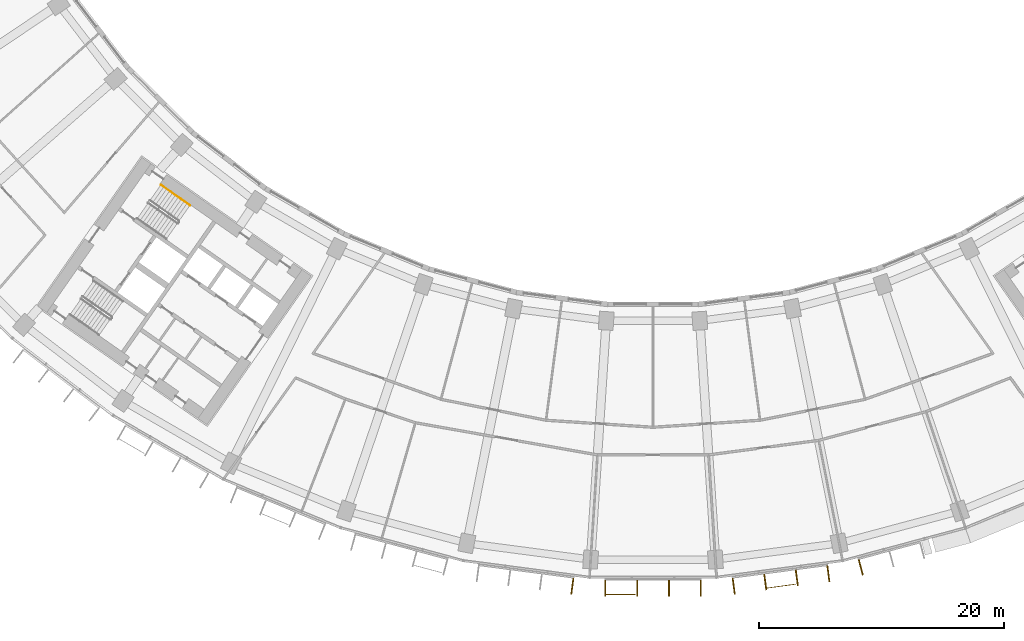
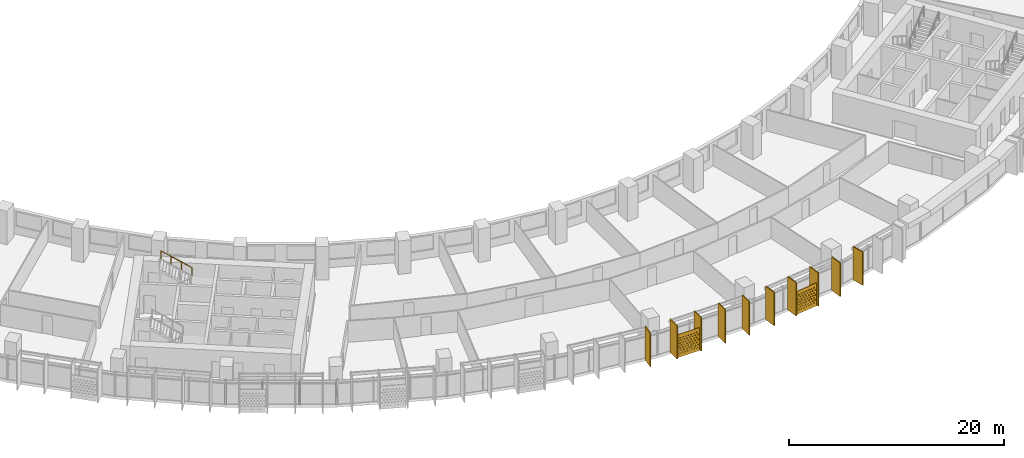
# One storey, part 26 of 28: 12 shading devices, 1 railing.
"""IFC4 building model written with IfcOpenShell, lengths in metres."""

import ifcopenshell
import ifcopenshell.guid

model = None  # the IFC model being written
_history = None  # IfcOwnerHistory: only IFC2X3 demands one
_inside = {}  # id of a spatial element -> (the spatial element, [elements in it])
_under = {}  # id of a project, library or spatial element -> (it, [spatial elements below it])
_declared = {}  # id of a project -> (the project, [libraries it declares])
_typed = {}  # id of a type object -> (the type object, [elements of that type])
_made_of = {}  # id of a material, layer set ... -> (it, [elements and type objects made of it])


def new_model(schema):
    """Start an empty IFC model of exactly this schema.

    Asked for "IFC4X3", IfcOpenShell would pick the latest addendum, in which some entities
    have other attributes; the version numbers below select the first issue.
    IFC2X3 requires an IfcOwnerHistory on every rooted entity: one is made here for all.
    """
    global model, _history
    if schema == "IFC4X3":
        model = ifcopenshell.file(schema_version=(4, 3, 0, 0))
    else:
        model = ifcopenshell.file(schema=schema)
    _inside.clear()
    _under.clear()
    _declared.clear()
    _typed.clear()
    _made_of.clear()
    _history = None
    if model.schema == "IFC2X3":
        org = make("IfcOrganization", Name="unknown")
        user = make(
            "IfcPersonAndOrganization",
            ThePerson=make("IfcPerson", FamilyName="unknown"),
            TheOrganization=org,
        )
        app = make(
            "IfcApplication",
            ApplicationDeveloper=org,
            Version="unknown",
            ApplicationFullName="unknown",
            ApplicationIdentifier="unknown",
        )
        _history = make(
            "IfcOwnerHistory",
            OwningUser=user,
            OwningApplication=app,
            ChangeAction="ADDED",
            CreationDate=0,
        )
    return model


def make(cls, **values):
    """One entity of the class cls with the attributes given. An attribute that is None is left unset."""
    return model.create_entity(
        cls, **{name: value for name, value in values.items() if value is not None}
    )


def rooted(cls, **values):
    """An entity with a GlobalId (a new one), such as an element, a storey or a relation."""
    return make(cls, GlobalId=ifcopenshell.guid.new(), OwnerHistory=_history, **values)


def si_unit(unit_type, name, prefix=None):
    """IfcSIUnit, for example si_unit("LENGTHUNIT", "METRE", prefix="MILLI")."""
    return make("IfcSIUnit", UnitType=unit_type, Prefix=prefix, Name=name)


def assignment(units):
    """IfcUnitAssignment: the units of a project."""
    return None if units is None else make("IfcUnitAssignment", Units=units)


def point(xyz):
    """IfcCartesianPoint."""
    return None if xyz is None else make("IfcCartesianPoint", Coordinates=xyz)


def direction(xyz):
    """IfcDirection."""
    return None if xyz is None else make("IfcDirection", DirectionRatios=xyz)


def frame(location, z_axis=None, x_axis=None):
    """IfcAxis2Placement3D, a coordinate frame: its origin and axes. An axis left out is left unset."""
    return make(
        "IfcAxis2Placement3D",
        Location=point(location),
        Axis=direction(z_axis),
        RefDirection=direction(x_axis),
    )


def frame_2d(location, x_axis=None):
    """IfcAxis2Placement2D, a coordinate frame in the plane: its origin and x axis."""
    return make(
        "IfcAxis2Placement2D", Location=point(location), RefDirection=direction(x_axis)
    )


def origin():
    """The frame at (0, 0, 0) with its axes left unset."""
    return frame((0.0, 0.0, 0.0))


def origin_2d():
    """The frame at (0, 0) in the plane with its x axis left unset."""
    return frame_2d((0.0, 0.0))


def place(relative_to, where):
    """IfcLocalPlacement: puts the frame where relative to a parent placement (None: the world)."""
    return make(
        "IfcLocalPlacement", PlacementRelTo=relative_to, RelativePlacement=where
    )


def context(
    kind, dimensions, precision=None, world=None, true_north=None, identifier=None
):
    """IfcGeometricRepresentationContext, for example the 3D "Model" context."""
    return make(
        "IfcGeometricRepresentationContext",
        ContextIdentifier=identifier,
        ContextType=kind,
        CoordinateSpaceDimension=dimensions,
        Precision=precision,
        WorldCoordinateSystem=world,
        TrueNorth=true_north,
    )


def subcontext(parent, identifier, kind, view, scale=None):
    """IfcGeometricRepresentationSubContext, for example "Body" below "Model"."""
    return make(
        "IfcGeometricRepresentationSubContext",
        ContextIdentifier=identifier,
        ContextType=kind,
        ParentContext=parent,
        TargetScale=scale,
        TargetView=view,
    )


def project(units=None, contexts=None):
    """IfcProject with its units and contexts."""
    return rooted(
        "IfcProject",
        Name="project",
        RepresentationContexts=contexts,
        UnitsInContext=assignment(units),
    )


def spatial(cls, under=None, at=None, **own):
    """A site, building, storey or space (cls), placed at a placement, below another one or the project."""
    s = rooted(cls, ObjectPlacement=at, **own)
    if under is not None:
        _under.setdefault(under.id(), (under, []))[1].append(s)
    return s


def polyline(points):
    """IfcPolyline through the points."""
    return make("IfcPolyline", Points=[point(p) for p in points])


def profile(cls, at=None, kind="AREA", **sizes):
    """A parametric profile (cls). Its sizes go by their IFC names, for example OverallWidth=200.0."""
    return make(cls, ProfileType=kind, Position=at, **sizes)


def rectangle(**sizes):
    """IfcRectangleProfileDef."""
    return profile("IfcRectangleProfileDef", **sizes)


def circle(**sizes):
    """IfcCircleProfileDef."""
    return profile("IfcCircleProfileDef", **sizes)


def outline(outer, holes=None, kind="AREA"):
    """IfcArbitraryClosedProfileDef: a profile drawn as a closed curve; with holes, ...WithVoids."""
    if holes is None:
        return make("IfcArbitraryClosedProfileDef", ProfileType=kind, OuterCurve=outer)
    return make(
        "IfcArbitraryProfileDefWithVoids",
        ProfileType=kind,
        OuterCurve=outer,
        InnerCurves=holes,
    )


def extrude(swept, where, along, depth):
    """IfcExtrudedAreaSolid: the profile swept, set in the frame where, extruded along a direction by depth."""
    return make(
        "IfcExtrudedAreaSolid",
        SweptArea=swept,
        Position=where,
        ExtrudedDirection=direction(along),
        Depth=depth,
    )


def shape(context_of_items, identifier, shape_type, items):
    """IfcShapeRepresentation: the items that make up one representation, for example the "Body"."""
    return make(
        "IfcShapeRepresentation",
        ContextOfItems=context_of_items,
        RepresentationIdentifier=identifier,
        RepresentationType=shape_type,
        Items=items,
    )


def material(Name=None, Category=None):
    """IfcMaterial."""
    return make("IfcMaterial", Name=Name, Category=Category)


def material_profile(
    of_material, cross_section, Name=None, Category=None, Priority=None
):
    """IfcMaterialProfile: a cross section and its material."""
    return make(
        "IfcMaterialProfile",
        Name=Name,
        Material=of_material,
        Profile=cross_section,
        Priority=Priority,
        Category=Category,
    )


def profile_set(profiles, Name=None, composite=None):
    """IfcMaterialProfileSet."""
    return make(
        "IfcMaterialProfileSet",
        Name=Name,
        MaterialProfiles=profiles,
        CompositeProfile=composite,
    )


def made_of(thing, what):
    """Note that an element or type object is made of a material, layer set ...; save() writes the relation."""
    if what is not None:
        _made_of.setdefault(what.id(), (what, []))[1].append(thing)
    return thing


def type_object(cls, material=None, **own):
    """A type object (cls), such as IfcWallType, which elements share."""
    return made_of(rooted(cls, **own), material)


def element(
    cls,
    number,
    at=None,
    inside=None,
    cuts=None,
    type_object=None,
    material=None,
    context=None,
    identifier="Body",
    shape_type=None,
    held_by="IfcProductDefinitionShape",
    body=None,
    shapes=None,
    **own,
):
    """One element of the class cls, such as IfcWall. Its Tag is "e" and its number.

    at: its placement. inside: the storey or other place that contains it. cuts: it is an
    opening in that element (IfcRelVoidsElement). A single representation is given by context,
    identifier, shape_type and body (its items); several are given by shapes. held_by: the class
    of the entity that holds the representations. save() writes the other relations.
    """
    e = rooted(cls, Tag="e%d" % number, ObjectPlacement=at, **own)
    if body is not None:
        shapes = [shape(context, identifier, shape_type, body)]
    if shapes is not None:
        e.Representation = make(held_by, Representations=shapes)
    if inside is not None:
        _inside.setdefault(inside.id(), (inside, []))[1].append(e)
    if cuts is not None:
        rooted(
            "IfcRelVoidsElement", RelatingBuildingElement=cuts, RelatedOpeningElement=e
        )
    if type_object is not None:
        _typed.setdefault(type_object.id(), (type_object, []))[1].append(e)
    return made_of(e, material)


def aggregate(whole, parts):
    """IfcRelAggregates: a whole, such as a stair, and the parts it consists of."""
    return rooted("IfcRelAggregates", RelatingObject=whole, RelatedObjects=parts)


def save(model, path):
    """Write the relations noted so far, then the file.

    IfcRelAggregates (storeys below a building ...), IfcRelContainedInSpatialStructure (elements
    in a storey), IfcRelDefinesByType, IfcRelAssociatesMaterial and IfcRelDeclares: one each for
    every whole, place, type object, material and project.
    """
    for whole, parts in _under.values():
        aggregate(whole, parts)
    for where, things in _inside.values():
        rooted(
            "IfcRelContainedInSpatialStructure",
            RelatedElements=things,
            RelatingStructure=where,
        )
    for kind, things in _typed.values():
        rooted("IfcRelDefinesByType", RelatedObjects=things, RelatingType=kind)
    for what, things in _made_of.values():
        rooted("IfcRelAssociatesMaterial", RelatedObjects=things, RelatingMaterial=what)
    for by, libraries in _declared.values():
        rooted("IfcRelDeclares", RelatingContext=by, RelatedDefinitions=libraries)
    model.write(path)


model = new_model("IFC4")

# Units and contexts
model_context = context("Model", 3, precision=1e-05, world=origin(), true_north=direction((0.0, 1.0)))
body_context = subcontext(model_context, "Body", "Model", "MODEL_VIEW")
ifc_project = project(units=[si_unit("LENGTHUNIT", "METRE"), si_unit("AREAUNIT", "SQUARE_METRE"), si_unit("VOLUMEUNIT", "CUBIC_METRE"), si_unit("PLANEANGLEUNIT", "RADIAN"), si_unit("MASSUNIT", "GRAM", prefix="KILO")], contexts=[model_context])

# Site, building, storey
site_placement = place(None, origin())
site = spatial("IfcSite", under=ifc_project, at=site_placement, CompositionType="ELEMENT")
building_placement = place(site_placement, origin())
building = spatial("IfcBuilding", under=site, at=building_placement, Name="Qamariyya Broadcast Tower", CompositionType="ELEMENT")
storey_placement = place(building_placement, frame((0.0, 0.0, 140.5)))
storey = spatial("IfcBuildingStorey", under=building, at=storey_placement, Name="L32", CompositionType="ELEMENT", Elevation=140.5)

# Shading devices
ifc_material_1 = material(Name="Perforated glazed terracotta", Category="masonry")
ifc_material_profile_1 = material_profile(ifc_material_1, outline(polyline([(-1.199951171875, -1.300048828125), (1.199951171875, -1.300048828125), (1.199951171875, 1.300048828125), (-1.199951171875, 1.300048828125), (-1.199951171875, -1.300048828125)]), holes=[polyline([(-0.81494140625, -0.86669921875), (-0.89990234375, -0.78173828125), (-0.985107421875, -0.86669921875), (-0.89990234375, -0.95166015625), (-0.81494140625, -0.86669921875)]), polyline([(-0.514892578125, -0.86669921875), (-0.60009765625, -0.78173828125), (-0.68505859375, -0.86669921875), (-0.60009765625, -0.95166015625), (-0.514892578125, -0.86669921875)]), polyline([(-0.215087890625, -0.86669921875), (-0.300048828125, -0.78173828125), (-0.385009765625, -0.86669921875), (-0.300048828125, -0.95166015625), (-0.215087890625, -0.86669921875)]), polyline([(0.0849609375, -0.86669921875), (0.0, -0.78173828125), (-0.0849609375, -0.86669921875), (0.0, -0.95166015625), (0.0849609375, -0.86669921875)]), polyline([(0.385009765625, -0.86669921875), (0.300048828125, -0.78173828125), (0.215087890625, -0.86669921875), (0.300048828125, -0.95166015625), (0.385009765625, -0.86669921875)]), polyline([(0.68505859375, -0.86669921875), (0.60009765625, -0.78173828125), (0.514892578125, -0.86669921875), (0.60009765625, -0.95166015625), (0.68505859375, -0.86669921875)]), polyline([(0.985107421875, -0.86669921875), (0.89990234375, -0.78173828125), (0.81494140625, -0.86669921875), (0.89990234375, -0.95166015625), (0.985107421875, -0.86669921875)]), polyline([(-0.965087890625, -0.577880859375), (-1.050048828125, -0.49267578125), (-1.135009765625, -0.577880859375), (-1.050048828125, -0.662841796875), (-0.965087890625, -0.577880859375)]), polyline([(-0.6650390625, -0.577880859375), (-0.75, -0.49267578125), (-0.8349609375, -0.577880859375), (-0.75, -0.662841796875), (-0.6650390625, -0.577880859375)]), polyline([(-0.364990234375, -0.577880859375), (-0.449951171875, -0.49267578125), (-0.534912109375, -0.577880859375), (-0.449951171875, -0.662841796875), (-0.364990234375, -0.577880859375)]), polyline([(-0.06494140625, -0.577880859375), (-0.14990234375, -0.49267578125), (-0.235107421875, -0.577880859375), (-0.14990234375, -0.662841796875), (-0.06494140625, -0.577880859375)]), polyline([(0.235107421875, -0.577880859375), (0.14990234375, -0.49267578125), (0.06494140625, -0.577880859375), (0.14990234375, -0.662841796875), (0.235107421875, -0.577880859375)]), polyline([(0.534912109375, -0.577880859375), (0.449951171875, -0.49267578125), (0.364990234375, -0.577880859375), (0.449951171875, -0.662841796875), (0.534912109375, -0.577880859375)]), polyline([(0.8349609375, -0.577880859375), (0.75, -0.49267578125), (0.6650390625, -0.577880859375), (0.75, -0.662841796875), (0.8349609375, -0.577880859375)]), polyline([(1.135009765625, -0.577880859375), (1.050048828125, -0.49267578125), (0.965087890625, -0.577880859375), (1.050048828125, -0.662841796875), (1.135009765625, -0.577880859375)]), polyline([(-0.81494140625, -0.288818359375), (-0.89990234375, -0.203857421875), (-0.985107421875, -0.288818359375), (-0.89990234375, -0.373779296875), (-0.81494140625, -0.288818359375)]), polyline([(-0.514892578125, -0.288818359375), (-0.60009765625, -0.203857421875), (-0.68505859375, -0.288818359375), (-0.60009765625, -0.373779296875), (-0.514892578125, -0.288818359375)]), polyline([(-0.215087890625, -0.288818359375), (-0.300048828125, -0.203857421875), (-0.385009765625, -0.288818359375), (-0.300048828125, -0.373779296875), (-0.215087890625, -0.288818359375)]), polyline([(0.0849609375, -0.288818359375), (0.0, -0.203857421875), (-0.0849609375, -0.288818359375), (0.0, -0.373779296875), (0.0849609375, -0.288818359375)]), polyline([(0.385009765625, -0.288818359375), (0.300048828125, -0.203857421875), (0.215087890625, -0.288818359375), (0.300048828125, -0.373779296875), (0.385009765625, -0.288818359375)]), polyline([(0.68505859375, -0.288818359375), (0.60009765625, -0.203857421875), (0.514892578125, -0.288818359375), (0.60009765625, -0.373779296875), (0.68505859375, -0.288818359375)]), polyline([(0.985107421875, -0.288818359375), (0.89990234375, -0.203857421875), (0.81494140625, -0.288818359375), (0.89990234375, -0.373779296875), (0.985107421875, -0.288818359375)]), polyline([(-0.965087890625, 0.0), (-1.050048828125, 0.0849609375), (-1.135009765625, 0.0), (-1.050048828125, -0.0849609375), (-0.965087890625, 0.0)]), polyline([(-0.6650390625, 0.0), (-0.75, 0.0849609375), (-0.8349609375, 0.0), (-0.75, -0.0849609375), (-0.6650390625, 0.0)]), polyline([(-0.364990234375, 0.0), (-0.449951171875, 0.0849609375), (-0.534912109375, 0.0), (-0.449951171875, -0.0849609375), (-0.364990234375, 0.0)]), polyline([(-0.06494140625, 0.0), (-0.14990234375, 0.0849609375), (-0.235107421875, 0.0), (-0.14990234375, -0.0849609375), (-0.06494140625, 0.0)]), polyline([(0.235107421875, 0.0), (0.14990234375, 0.0849609375), (0.06494140625, 0.0), (0.14990234375, -0.0849609375), (0.235107421875, 0.0)]), polyline([(0.534912109375, 0.0), (0.449951171875, 0.0849609375), (0.364990234375, 0.0), (0.449951171875, -0.0849609375), (0.534912109375, 0.0)]), polyline([(0.8349609375, 0.0), (0.75, 0.0849609375), (0.6650390625, 0.0), (0.75, -0.0849609375), (0.8349609375, 0.0)]), polyline([(1.135009765625, 0.0), (1.050048828125, 0.0849609375), (0.965087890625, 0.0), (1.050048828125, -0.0849609375), (1.135009765625, 0.0)]), polyline([(-0.81494140625, 0.288818359375), (-0.89990234375, 0.373779296875), (-0.985107421875, 0.288818359375), (-0.89990234375, 0.203857421875), (-0.81494140625, 0.288818359375)]), polyline([(-0.514892578125, 0.288818359375), (-0.60009765625, 0.373779296875), (-0.68505859375, 0.288818359375), (-0.60009765625, 0.203857421875), (-0.514892578125, 0.288818359375)]), polyline([(-0.215087890625, 0.288818359375), (-0.300048828125, 0.373779296875), (-0.385009765625, 0.288818359375), (-0.300048828125, 0.203857421875), (-0.215087890625, 0.288818359375)]), polyline([(0.0849609375, 0.288818359375), (0.0, 0.373779296875), (-0.0849609375, 0.288818359375), (0.0, 0.203857421875), (0.0849609375, 0.288818359375)]), polyline([(0.385009765625, 0.288818359375), (0.300048828125, 0.373779296875), (0.215087890625, 0.288818359375), (0.300048828125, 0.203857421875), (0.385009765625, 0.288818359375)]), polyline([(0.68505859375, 0.288818359375), (0.60009765625, 0.373779296875), (0.514892578125, 0.288818359375), (0.60009765625, 0.203857421875), (0.68505859375, 0.288818359375)]), polyline([(0.985107421875, 0.288818359375), (0.89990234375, 0.373779296875), (0.81494140625, 0.288818359375), (0.89990234375, 0.203857421875), (0.985107421875, 0.288818359375)]), polyline([(-0.965087890625, 0.577880859375), (-1.050048828125, 0.662841796875), (-1.135009765625, 0.577880859375), (-1.050048828125, 0.49267578125), (-0.965087890625, 0.577880859375)]), polyline([(-0.6650390625, 0.577880859375), (-0.75, 0.662841796875), (-0.8349609375, 0.577880859375), (-0.75, 0.49267578125), (-0.6650390625, 0.577880859375)]), polyline([(-0.364990234375, 0.577880859375), (-0.449951171875, 0.662841796875), (-0.534912109375, 0.577880859375), (-0.449951171875, 0.49267578125), (-0.364990234375, 0.577880859375)]), polyline([(-0.06494140625, 0.577880859375), (-0.14990234375, 0.662841796875), (-0.235107421875, 0.577880859375), (-0.14990234375, 0.49267578125), (-0.06494140625, 0.577880859375)]), polyline([(0.235107421875, 0.577880859375), (0.14990234375, 0.662841796875), (0.06494140625, 0.577880859375), (0.14990234375, 0.49267578125), (0.235107421875, 0.577880859375)]), polyline([(0.534912109375, 0.577880859375), (0.449951171875, 0.662841796875), (0.364990234375, 0.577880859375), (0.449951171875, 0.49267578125), (0.534912109375, 0.577880859375)]), polyline([(0.8349609375, 0.577880859375), (0.75, 0.662841796875), (0.6650390625, 0.577880859375), (0.75, 0.49267578125), (0.8349609375, 0.577880859375)]), polyline([(1.135009765625, 0.577880859375), (1.050048828125, 0.662841796875), (0.965087890625, 0.577880859375), (1.050048828125, 0.49267578125), (1.135009765625, 0.577880859375)]), polyline([(-0.81494140625, 0.86669921875), (-0.89990234375, 0.95166015625), (-0.985107421875, 0.86669921875), (-0.89990234375, 0.78173828125), (-0.81494140625, 0.86669921875)]), polyline([(-0.514892578125, 0.86669921875), (-0.60009765625, 0.95166015625), (-0.68505859375, 0.86669921875), (-0.60009765625, 0.78173828125), (-0.514892578125, 0.86669921875)]), polyline([(-0.215087890625, 0.86669921875), (-0.300048828125, 0.95166015625), (-0.385009765625, 0.86669921875), (-0.300048828125, 0.78173828125), (-0.215087890625, 0.86669921875)]), polyline([(0.0849609375, 0.86669921875), (0.0, 0.95166015625), (-0.0849609375, 0.86669921875), (0.0, 0.78173828125), (0.0849609375, 0.86669921875)]), polyline([(0.385009765625, 0.86669921875), (0.300048828125, 0.95166015625), (0.215087890625, 0.86669921875), (0.300048828125, 0.78173828125), (0.385009765625, 0.86669921875)]), polyline([(0.68505859375, 0.86669921875), (0.60009765625, 0.95166015625), (0.514892578125, 0.86669921875), (0.60009765625, 0.78173828125), (0.68505859375, 0.86669921875)]), polyline([(0.985107421875, 0.86669921875), (0.89990234375, 0.95166015625), (0.81494140625, 0.86669921875), (0.89990234375, 0.78173828125), (0.985107421875, 0.86669921875)])]))
ifc_profile_set_1 = profile_set([ifc_material_profile_1], Name="Perforated glazed terracotta")
shading_device_type_1 = type_object("IfcShadingDeviceType", Name="Perforated terracotta screen 2400 x 2600", PredefinedType="USERDEFINED", material=ifc_profile_set_1)
shading_device_1_placement = place(storey_placement, frame((-2.639892578125, -80.400146484375, 1.35009765625), z_axis=(0.0, -1.0, 0.0), x_axis=(1.0, 0.0, 0.0)))
element("IfcShadingDevice", 1, at=shading_device_1_placement, inside=storey, type_object=shading_device_type_1, Name="e-scr-L32-09-0", ObjectType="SCREEN", PredefinedType="USERDEFINED", context=body_context, shape_type="SweptSolid", body=[
    extrude(outline(polyline([(-1.199951171875, -1.300048828125), (1.199951171875, -1.300048828125), (1.199951171875, 1.300048828125), (-1.199951171875, 1.300048828125), (-1.199951171875, -1.300048828125)]), holes=[polyline([(-0.81494140625, -0.86669921875), (-0.89990234375, -0.78173828125), (-0.985107421875, -0.86669921875), (-0.89990234375, -0.95166015625), (-0.81494140625, -0.86669921875)]), polyline([(-0.514892578125, -0.86669921875), (-0.60009765625, -0.78173828125), (-0.68505859375, -0.86669921875), (-0.60009765625, -0.95166015625), (-0.514892578125, -0.86669921875)]), polyline([(-0.215087890625, -0.86669921875), (-0.300048828125, -0.78173828125), (-0.385009765625, -0.86669921875), (-0.300048828125, -0.95166015625), (-0.215087890625, -0.86669921875)]), polyline([(0.0849609375, -0.86669921875), (0.0, -0.78173828125), (-0.0849609375, -0.86669921875), (0.0, -0.95166015625), (0.0849609375, -0.86669921875)]), polyline([(0.385009765625, -0.86669921875), (0.300048828125, -0.78173828125), (0.215087890625, -0.86669921875), (0.300048828125, -0.95166015625), (0.385009765625, -0.86669921875)]), polyline([(0.68505859375, -0.86669921875), (0.60009765625, -0.78173828125), (0.514892578125, -0.86669921875), (0.60009765625, -0.95166015625), (0.68505859375, -0.86669921875)]), polyline([(0.985107421875, -0.86669921875), (0.89990234375, -0.78173828125), (0.81494140625, -0.86669921875), (0.89990234375, -0.95166015625), (0.985107421875, -0.86669921875)]), polyline([(-0.965087890625, -0.577880859375), (-1.050048828125, -0.49267578125), (-1.135009765625, -0.577880859375), (-1.050048828125, -0.662841796875), (-0.965087890625, -0.577880859375)]), polyline([(-0.6650390625, -0.577880859375), (-0.75, -0.49267578125), (-0.8349609375, -0.577880859375), (-0.75, -0.662841796875), (-0.6650390625, -0.577880859375)]), polyline([(-0.364990234375, -0.577880859375), (-0.449951171875, -0.49267578125), (-0.534912109375, -0.577880859375), (-0.449951171875, -0.662841796875), (-0.364990234375, -0.577880859375)]), polyline([(-0.06494140625, -0.577880859375), (-0.14990234375, -0.49267578125), (-0.235107421875, -0.577880859375), (-0.14990234375, -0.662841796875), (-0.06494140625, -0.577880859375)]), polyline([(0.235107421875, -0.577880859375), (0.14990234375, -0.49267578125), (0.06494140625, -0.577880859375), (0.14990234375, -0.662841796875), (0.235107421875, -0.577880859375)]), polyline([(0.534912109375, -0.577880859375), (0.449951171875, -0.49267578125), (0.364990234375, -0.577880859375), (0.449951171875, -0.662841796875), (0.534912109375, -0.577880859375)]), polyline([(0.8349609375, -0.577880859375), (0.75, -0.49267578125), (0.6650390625, -0.577880859375), (0.75, -0.662841796875), (0.8349609375, -0.577880859375)]), polyline([(1.135009765625, -0.577880859375), (1.050048828125, -0.49267578125), (0.965087890625, -0.577880859375), (1.050048828125, -0.662841796875), (1.135009765625, -0.577880859375)]), polyline([(-0.81494140625, -0.288818359375), (-0.89990234375, -0.203857421875), (-0.985107421875, -0.288818359375), (-0.89990234375, -0.373779296875), (-0.81494140625, -0.288818359375)]), polyline([(-0.514892578125, -0.288818359375), (-0.60009765625, -0.203857421875), (-0.68505859375, -0.288818359375), (-0.60009765625, -0.373779296875), (-0.514892578125, -0.288818359375)]), polyline([(-0.215087890625, -0.288818359375), (-0.300048828125, -0.203857421875), (-0.385009765625, -0.288818359375), (-0.300048828125, -0.373779296875), (-0.215087890625, -0.288818359375)]), polyline([(0.0849609375, -0.288818359375), (0.0, -0.203857421875), (-0.0849609375, -0.288818359375), (0.0, -0.373779296875), (0.0849609375, -0.288818359375)]), polyline([(0.385009765625, -0.288818359375), (0.300048828125, -0.203857421875), (0.215087890625, -0.288818359375), (0.300048828125, -0.373779296875), (0.385009765625, -0.288818359375)]), polyline([(0.68505859375, -0.288818359375), (0.60009765625, -0.203857421875), (0.514892578125, -0.288818359375), (0.60009765625, -0.373779296875), (0.68505859375, -0.288818359375)]), polyline([(0.985107421875, -0.288818359375), (0.89990234375, -0.203857421875), (0.81494140625, -0.288818359375), (0.89990234375, -0.373779296875), (0.985107421875, -0.288818359375)]), polyline([(-0.965087890625, 0.0), (-1.050048828125, 0.0849609375), (-1.135009765625, 0.0), (-1.050048828125, -0.0849609375), (-0.965087890625, 0.0)]), polyline([(-0.6650390625, 0.0), (-0.75, 0.0849609375), (-0.8349609375, 0.0), (-0.75, -0.0849609375), (-0.6650390625, 0.0)]), polyline([(-0.364990234375, 0.0), (-0.449951171875, 0.0849609375), (-0.534912109375, 0.0), (-0.449951171875, -0.0849609375), (-0.364990234375, 0.0)]), polyline([(-0.06494140625, 0.0), (-0.14990234375, 0.0849609375), (-0.235107421875, 0.0), (-0.14990234375, -0.0849609375), (-0.06494140625, 0.0)]), polyline([(0.235107421875, 0.0), (0.14990234375, 0.0849609375), (0.06494140625, 0.0), (0.14990234375, -0.0849609375), (0.235107421875, 0.0)]), polyline([(0.534912109375, 0.0), (0.449951171875, 0.0849609375), (0.364990234375, 0.0), (0.449951171875, -0.0849609375), (0.534912109375, 0.0)]), polyline([(0.8349609375, 0.0), (0.75, 0.0849609375), (0.6650390625, 0.0), (0.75, -0.0849609375), (0.8349609375, 0.0)]), polyline([(1.135009765625, 0.0), (1.050048828125, 0.0849609375), (0.965087890625, 0.0), (1.050048828125, -0.0849609375), (1.135009765625, 0.0)]), polyline([(-0.81494140625, 0.288818359375), (-0.89990234375, 0.373779296875), (-0.985107421875, 0.288818359375), (-0.89990234375, 0.203857421875), (-0.81494140625, 0.288818359375)]), polyline([(-0.514892578125, 0.288818359375), (-0.60009765625, 0.373779296875), (-0.68505859375, 0.288818359375), (-0.60009765625, 0.203857421875), (-0.514892578125, 0.288818359375)]), polyline([(-0.215087890625, 0.288818359375), (-0.300048828125, 0.373779296875), (-0.385009765625, 0.288818359375), (-0.300048828125, 0.203857421875), (-0.215087890625, 0.288818359375)]), polyline([(0.0849609375, 0.288818359375), (0.0, 0.373779296875), (-0.0849609375, 0.288818359375), (0.0, 0.203857421875), (0.0849609375, 0.288818359375)]), polyline([(0.385009765625, 0.288818359375), (0.300048828125, 0.373779296875), (0.215087890625, 0.288818359375), (0.300048828125, 0.203857421875), (0.385009765625, 0.288818359375)]), polyline([(0.68505859375, 0.288818359375), (0.60009765625, 0.373779296875), (0.514892578125, 0.288818359375), (0.60009765625, 0.203857421875), (0.68505859375, 0.288818359375)]), polyline([(0.985107421875, 0.288818359375), (0.89990234375, 0.373779296875), (0.81494140625, 0.288818359375), (0.89990234375, 0.203857421875), (0.985107421875, 0.288818359375)]), polyline([(-0.965087890625, 0.577880859375), (-1.050048828125, 0.662841796875), (-1.135009765625, 0.577880859375), (-1.050048828125, 0.49267578125), (-0.965087890625, 0.577880859375)]), polyline([(-0.6650390625, 0.577880859375), (-0.75, 0.662841796875), (-0.8349609375, 0.577880859375), (-0.75, 0.49267578125), (-0.6650390625, 0.577880859375)]), polyline([(-0.364990234375, 0.577880859375), (-0.449951171875, 0.662841796875), (-0.534912109375, 0.577880859375), (-0.449951171875, 0.49267578125), (-0.364990234375, 0.577880859375)]), polyline([(-0.06494140625, 0.577880859375), (-0.14990234375, 0.662841796875), (-0.235107421875, 0.577880859375), (-0.14990234375, 0.49267578125), (-0.06494140625, 0.577880859375)]), polyline([(0.235107421875, 0.577880859375), (0.14990234375, 0.662841796875), (0.06494140625, 0.577880859375), (0.14990234375, 0.49267578125), (0.235107421875, 0.577880859375)]), polyline([(0.534912109375, 0.577880859375), (0.449951171875, 0.662841796875), (0.364990234375, 0.577880859375), (0.449951171875, 0.49267578125), (0.534912109375, 0.577880859375)]), polyline([(0.8349609375, 0.577880859375), (0.75, 0.662841796875), (0.6650390625, 0.577880859375), (0.75, 0.49267578125), (0.8349609375, 0.577880859375)]), polyline([(1.135009765625, 0.577880859375), (1.050048828125, 0.662841796875), (0.965087890625, 0.577880859375), (1.050048828125, 0.49267578125), (1.135009765625, 0.577880859375)]), polyline([(-0.81494140625, 0.86669921875), (-0.89990234375, 0.95166015625), (-0.985107421875, 0.86669921875), (-0.89990234375, 0.78173828125), (-0.81494140625, 0.86669921875)]), polyline([(-0.514892578125, 0.86669921875), (-0.60009765625, 0.95166015625), (-0.68505859375, 0.86669921875), (-0.60009765625, 0.78173828125), (-0.514892578125, 0.86669921875)]), polyline([(-0.215087890625, 0.86669921875), (-0.300048828125, 0.95166015625), (-0.385009765625, 0.86669921875), (-0.300048828125, 0.78173828125), (-0.215087890625, 0.86669921875)]), polyline([(0.0849609375, 0.86669921875), (0.0, 0.95166015625), (-0.0849609375, 0.86669921875), (0.0, 0.78173828125), (0.0849609375, 0.86669921875)]), polyline([(0.385009765625, 0.86669921875), (0.300048828125, 0.95166015625), (0.215087890625, 0.86669921875), (0.300048828125, 0.78173828125), (0.385009765625, 0.86669921875)]), polyline([(0.68505859375, 0.86669921875), (0.60009765625, 0.95166015625), (0.514892578125, 0.86669921875), (0.60009765625, 0.78173828125), (0.68505859375, 0.86669921875)]), polyline([(0.985107421875, 0.86669921875), (0.89990234375, 0.95166015625), (0.81494140625, 0.86669921875), (0.89990234375, 0.78173828125), (0.985107421875, 0.86669921875)])]), origin(), (0.0, 0.0, 1.0), 0.06005859375),
])
shading_device_2_placement = place(storey_placement, frame((10.447998046875, -79.718505859375, 1.35009765625), z_axis=(0.13456727237, -0.990904460181, 0.0), x_axis=(0.990904460181, 0.13456727237, 0.0)))
element("IfcShadingDevice", 2, at=shading_device_2_placement, inside=storey, type_object=shading_device_type_1, Name="e-scr-L32-10-1", ObjectType="SCREEN", PredefinedType="USERDEFINED", context=body_context, shape_type="SweptSolid", body=[
    extrude(outline(polyline([(-1.199951171875, -1.300048828125), (1.199951171875, -1.300048828125), (1.199951171875, 1.300048828125), (-1.199951171875, 1.300048828125), (-1.199951171875, -1.300048828125)]), holes=[polyline([(-0.81494140625, -0.86669921875), (-0.89990234375, -0.78173828125), (-0.985107421875, -0.86669921875), (-0.89990234375, -0.95166015625), (-0.81494140625, -0.86669921875)]), polyline([(-0.514892578125, -0.86669921875), (-0.60009765625, -0.78173828125), (-0.68505859375, -0.86669921875), (-0.60009765625, -0.95166015625), (-0.514892578125, -0.86669921875)]), polyline([(-0.215087890625, -0.86669921875), (-0.300048828125, -0.78173828125), (-0.385009765625, -0.86669921875), (-0.300048828125, -0.95166015625), (-0.215087890625, -0.86669921875)]), polyline([(0.0849609375, -0.86669921875), (0.0, -0.78173828125), (-0.0849609375, -0.86669921875), (0.0, -0.95166015625), (0.0849609375, -0.86669921875)]), polyline([(0.385009765625, -0.86669921875), (0.300048828125, -0.78173828125), (0.215087890625, -0.86669921875), (0.300048828125, -0.95166015625), (0.385009765625, -0.86669921875)]), polyline([(0.68505859375, -0.86669921875), (0.60009765625, -0.78173828125), (0.514892578125, -0.86669921875), (0.60009765625, -0.95166015625), (0.68505859375, -0.86669921875)]), polyline([(0.985107421875, -0.86669921875), (0.89990234375, -0.78173828125), (0.81494140625, -0.86669921875), (0.89990234375, -0.95166015625), (0.985107421875, -0.86669921875)]), polyline([(-0.965087890625, -0.577880859375), (-1.050048828125, -0.49267578125), (-1.135009765625, -0.577880859375), (-1.050048828125, -0.662841796875), (-0.965087890625, -0.577880859375)]), polyline([(-0.6650390625, -0.577880859375), (-0.75, -0.49267578125), (-0.8349609375, -0.577880859375), (-0.75, -0.662841796875), (-0.6650390625, -0.577880859375)]), polyline([(-0.364990234375, -0.577880859375), (-0.449951171875, -0.49267578125), (-0.534912109375, -0.577880859375), (-0.449951171875, -0.662841796875), (-0.364990234375, -0.577880859375)]), polyline([(-0.06494140625, -0.577880859375), (-0.14990234375, -0.49267578125), (-0.235107421875, -0.577880859375), (-0.14990234375, -0.662841796875), (-0.06494140625, -0.577880859375)]), polyline([(0.235107421875, -0.577880859375), (0.14990234375, -0.49267578125), (0.06494140625, -0.577880859375), (0.14990234375, -0.662841796875), (0.235107421875, -0.577880859375)]), polyline([(0.534912109375, -0.577880859375), (0.449951171875, -0.49267578125), (0.364990234375, -0.577880859375), (0.449951171875, -0.662841796875), (0.534912109375, -0.577880859375)]), polyline([(0.8349609375, -0.577880859375), (0.75, -0.49267578125), (0.6650390625, -0.577880859375), (0.75, -0.662841796875), (0.8349609375, -0.577880859375)]), polyline([(1.135009765625, -0.577880859375), (1.050048828125, -0.49267578125), (0.965087890625, -0.577880859375), (1.050048828125, -0.662841796875), (1.135009765625, -0.577880859375)]), polyline([(-0.81494140625, -0.288818359375), (-0.89990234375, -0.203857421875), (-0.985107421875, -0.288818359375), (-0.89990234375, -0.373779296875), (-0.81494140625, -0.288818359375)]), polyline([(-0.514892578125, -0.288818359375), (-0.60009765625, -0.203857421875), (-0.68505859375, -0.288818359375), (-0.60009765625, -0.373779296875), (-0.514892578125, -0.288818359375)]), polyline([(-0.215087890625, -0.288818359375), (-0.300048828125, -0.203857421875), (-0.385009765625, -0.288818359375), (-0.300048828125, -0.373779296875), (-0.215087890625, -0.288818359375)]), polyline([(0.0849609375, -0.288818359375), (0.0, -0.203857421875), (-0.0849609375, -0.288818359375), (0.0, -0.373779296875), (0.0849609375, -0.288818359375)]), polyline([(0.385009765625, -0.288818359375), (0.300048828125, -0.203857421875), (0.215087890625, -0.288818359375), (0.300048828125, -0.373779296875), (0.385009765625, -0.288818359375)]), polyline([(0.68505859375, -0.288818359375), (0.60009765625, -0.203857421875), (0.514892578125, -0.288818359375), (0.60009765625, -0.373779296875), (0.68505859375, -0.288818359375)]), polyline([(0.985107421875, -0.288818359375), (0.89990234375, -0.203857421875), (0.81494140625, -0.288818359375), (0.89990234375, -0.373779296875), (0.985107421875, -0.288818359375)]), polyline([(-0.965087890625, 0.0), (-1.050048828125, 0.0849609375), (-1.135009765625, 0.0), (-1.050048828125, -0.0849609375), (-0.965087890625, 0.0)]), polyline([(-0.6650390625, 0.0), (-0.75, 0.0849609375), (-0.8349609375, 0.0), (-0.75, -0.0849609375), (-0.6650390625, 0.0)]), polyline([(-0.364990234375, 0.0), (-0.449951171875, 0.0849609375), (-0.534912109375, 0.0), (-0.449951171875, -0.0849609375), (-0.364990234375, 0.0)]), polyline([(-0.06494140625, 0.0), (-0.14990234375, 0.0849609375), (-0.235107421875, 0.0), (-0.14990234375, -0.0849609375), (-0.06494140625, 0.0)]), polyline([(0.235107421875, 0.0), (0.14990234375, 0.0849609375), (0.06494140625, 0.0), (0.14990234375, -0.0849609375), (0.235107421875, 0.0)]), polyline([(0.534912109375, 0.0), (0.449951171875, 0.0849609375), (0.364990234375, 0.0), (0.449951171875, -0.0849609375), (0.534912109375, 0.0)]), polyline([(0.8349609375, 0.0), (0.75, 0.0849609375), (0.6650390625, 0.0), (0.75, -0.0849609375), (0.8349609375, 0.0)]), polyline([(1.135009765625, 0.0), (1.050048828125, 0.0849609375), (0.965087890625, 0.0), (1.050048828125, -0.0849609375), (1.135009765625, 0.0)]), polyline([(-0.81494140625, 0.288818359375), (-0.89990234375, 0.373779296875), (-0.985107421875, 0.288818359375), (-0.89990234375, 0.203857421875), (-0.81494140625, 0.288818359375)]), polyline([(-0.514892578125, 0.288818359375), (-0.60009765625, 0.373779296875), (-0.68505859375, 0.288818359375), (-0.60009765625, 0.203857421875), (-0.514892578125, 0.288818359375)]), polyline([(-0.215087890625, 0.288818359375), (-0.300048828125, 0.373779296875), (-0.385009765625, 0.288818359375), (-0.300048828125, 0.203857421875), (-0.215087890625, 0.288818359375)]), polyline([(0.0849609375, 0.288818359375), (0.0, 0.373779296875), (-0.0849609375, 0.288818359375), (0.0, 0.203857421875), (0.0849609375, 0.288818359375)]), polyline([(0.385009765625, 0.288818359375), (0.300048828125, 0.373779296875), (0.215087890625, 0.288818359375), (0.300048828125, 0.203857421875), (0.385009765625, 0.288818359375)]), polyline([(0.68505859375, 0.288818359375), (0.60009765625, 0.373779296875), (0.514892578125, 0.288818359375), (0.60009765625, 0.203857421875), (0.68505859375, 0.288818359375)]), polyline([(0.985107421875, 0.288818359375), (0.89990234375, 0.373779296875), (0.81494140625, 0.288818359375), (0.89990234375, 0.203857421875), (0.985107421875, 0.288818359375)]), polyline([(-0.965087890625, 0.577880859375), (-1.050048828125, 0.662841796875), (-1.135009765625, 0.577880859375), (-1.050048828125, 0.49267578125), (-0.965087890625, 0.577880859375)]), polyline([(-0.6650390625, 0.577880859375), (-0.75, 0.662841796875), (-0.8349609375, 0.577880859375), (-0.75, 0.49267578125), (-0.6650390625, 0.577880859375)]), polyline([(-0.364990234375, 0.577880859375), (-0.449951171875, 0.662841796875), (-0.534912109375, 0.577880859375), (-0.449951171875, 0.49267578125), (-0.364990234375, 0.577880859375)]), polyline([(-0.06494140625, 0.577880859375), (-0.14990234375, 0.662841796875), (-0.235107421875, 0.577880859375), (-0.14990234375, 0.49267578125), (-0.06494140625, 0.577880859375)]), polyline([(0.235107421875, 0.577880859375), (0.14990234375, 0.662841796875), (0.06494140625, 0.577880859375), (0.14990234375, 0.49267578125), (0.235107421875, 0.577880859375)]), polyline([(0.534912109375, 0.577880859375), (0.449951171875, 0.662841796875), (0.364990234375, 0.577880859375), (0.449951171875, 0.49267578125), (0.534912109375, 0.577880859375)]), polyline([(0.8349609375, 0.577880859375), (0.75, 0.662841796875), (0.6650390625, 0.577880859375), (0.75, 0.49267578125), (0.8349609375, 0.577880859375)]), polyline([(1.135009765625, 0.577880859375), (1.050048828125, 0.662841796875), (0.965087890625, 0.577880859375), (1.050048828125, 0.49267578125), (1.135009765625, 0.577880859375)]), polyline([(-0.81494140625, 0.86669921875), (-0.89990234375, 0.95166015625), (-0.985107421875, 0.86669921875), (-0.89990234375, 0.78173828125), (-0.81494140625, 0.86669921875)]), polyline([(-0.514892578125, 0.86669921875), (-0.60009765625, 0.95166015625), (-0.68505859375, 0.86669921875), (-0.60009765625, 0.78173828125), (-0.514892578125, 0.86669921875)]), polyline([(-0.215087890625, 0.86669921875), (-0.300048828125, 0.95166015625), (-0.385009765625, 0.86669921875), (-0.300048828125, 0.78173828125), (-0.215087890625, 0.86669921875)]), polyline([(0.0849609375, 0.86669921875), (0.0, 0.95166015625), (-0.0849609375, 0.86669921875), (0.0, 0.78173828125), (0.0849609375, 0.86669921875)]), polyline([(0.385009765625, 0.86669921875), (0.300048828125, 0.95166015625), (0.215087890625, 0.86669921875), (0.300048828125, 0.78173828125), (0.385009765625, 0.86669921875)]), polyline([(0.68505859375, 0.86669921875), (0.60009765625, 0.95166015625), (0.514892578125, 0.86669921875), (0.60009765625, 0.78173828125), (0.68505859375, 0.86669921875)]), polyline([(0.985107421875, 0.86669921875), (0.89990234375, 0.95166015625), (0.81494140625, 0.86669921875), (0.89990234375, 0.78173828125), (0.985107421875, 0.86669921875)])]), origin(), (0.0, 0.0, 1.0), 0.059814453125),
])

# Railing
ifc_material_2 = material(Name="Stainless steel", Category="steel")
railing_type = type_object("IfcRailingType", Name="Stair handrail", PredefinedType="HANDRAIL", material=ifc_material_2)
railing_placement = place(storey_placement, frame((-37.73876953125, -48.7138671875, 2.07275390625)))
element("IfcRailing", 3, at=railing_placement, inside=storey, type_object=railing_type, Name="L32 ST-W2 stair handrail 2", PredefinedType="HANDRAIL", context=body_context, shape_type="SweptSolid", body=[
    extrude(circle(Radius=0.02392578125, at=origin_2d()), frame((0.0, 0.0, 0.8759765625), z_axis=(-0.703745009021, 0.492838488332, 0.511715923826), x_axis=(-0.573631830683, -0.819113253969, 0.0)), (0.0, 0.0, 1.0), 3.37548828125),
    extrude(circle(Radius=0.02099609375, at=origin_2d()), origin(), (0.0, 0.0, 1.0), 0.851806640625),
    extrude(circle(Radius=0.02099609375, at=origin_2d()), frame((-0.791748046875, 0.554443359375, 0.57568359375)), (0.0, 0.0, 1.0), 0.851806640625),
    extrude(circle(Radius=0.02099609375, at=origin_2d()), frame((-1.583740234375, 1.109130859375, 1.151611328125)), (0.0, 0.0, 1.0), 0.851806640625),
    extrude(circle(Radius=0.02099609375, at=origin_2d()), frame((-2.37548828125, 1.66357421875, 1.727294921875)), (0.0, 0.0, 1.0), 0.851806640625),
])

# Shading devices
ifc_material_3 = material(Name="Glazed terracotta", Category="masonry")
ifc_material_profile_2 = material_profile(ifc_material_3, rectangle(XDim=1.300048828125, YDim=0.10009765625, at=origin_2d()))
ifc_profile_set_2 = profile_set([ifc_material_profile_2], Name="Glazed terracotta")
shading_device_type_2 = type_object("IfcShadingDeviceType", Name="Terracotta fin 100 x 1300", PredefinedType="USERDEFINED", material=ifc_profile_set_2)
for number, where, z_axis, x_axis, name in (
    (4, (-6.576416015625, -79.754150390625, 0.0), (0.0, 0.0, 1.0), (-0.13052619222, -0.991444861374, 0.0), "e-fin-L32-08-3"),
    (5, (-3.889892578125, -79.93017578125, 0.0), (0.0, 0.0, 1.0), (0.0, -1.0, 0.0), "e-fin-L32-09-0"),
    (6, (-1.296630859375, -79.93017578125, 0.0), (0.0, 0.0, 1.0), (0.0, -1.0, 0.0), "e-fin-L32-09-1"),
    (7, (1.296630859375, -79.93017578125, 0.0), (0.0, 0.0, 1.0), (0.0, -1.0, 0.0), "e-fin-L32-09-2"),
    (8, (3.889892578125, -79.93017578125, 0.0), (0.0, 0.0, 1.0), (0.0, -1.0, 0.0), "e-fin-L32-09-3"),
    (9, (6.576416015625, -79.754150390625, 0.0), (0.0, 0.0, 1.0), (0.13052619222, -0.991444861374, 0.0), "e-fin-L32-10-0"),
    (10, (9.1474609375, -79.41552734375, 0.0), (0.0, 0.0, 1.0), (0.13052619222, -0.991444861374, 0.0), "e-fin-L32-10-1"),
    (11, (11.718505859375, -79.0771484375, 0.0), (0.0, 0.0, 1.0), (0.13052619222, -0.991444861374, 0.0), "e-fin-L32-10-2"),
    (12, (14.28955078125, -78.73876953125, 0.0), (0.0, 0.0, 1.0), (0.13052619222, -0.991444861374, 0.0), "e-fin-L32-10-3"),
    (13, (16.93017578125, -78.21337890625, 0.0), (0.0, 0.0, 1.0), (0.258819045103, -0.965925826289, 0.0), "e-fin-L32-11-0"),
):
    element("IfcShadingDevice", number, at=place(storey_placement, frame(where, z_axis=z_axis, x_axis=x_axis)), inside=storey, type_object=shading_device_type_2, Name=name, ObjectType="FIN", PredefinedType="USERDEFINED", context=body_context, shape_type="SweptSolid", body=[
        extrude(rectangle(XDim=1.300048828125, YDim=0.10009765625, at=origin_2d()), origin(), (0.0, 0.0, 1.0), 3.800048828125),
    ])

save(model, "model.ifc")
